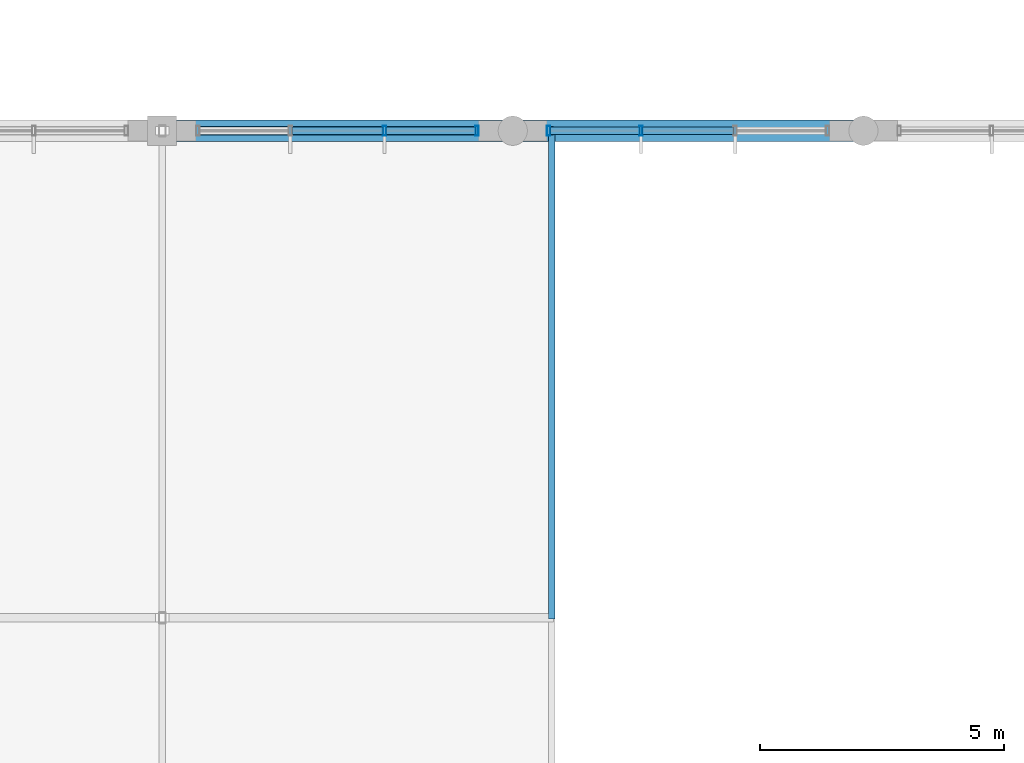
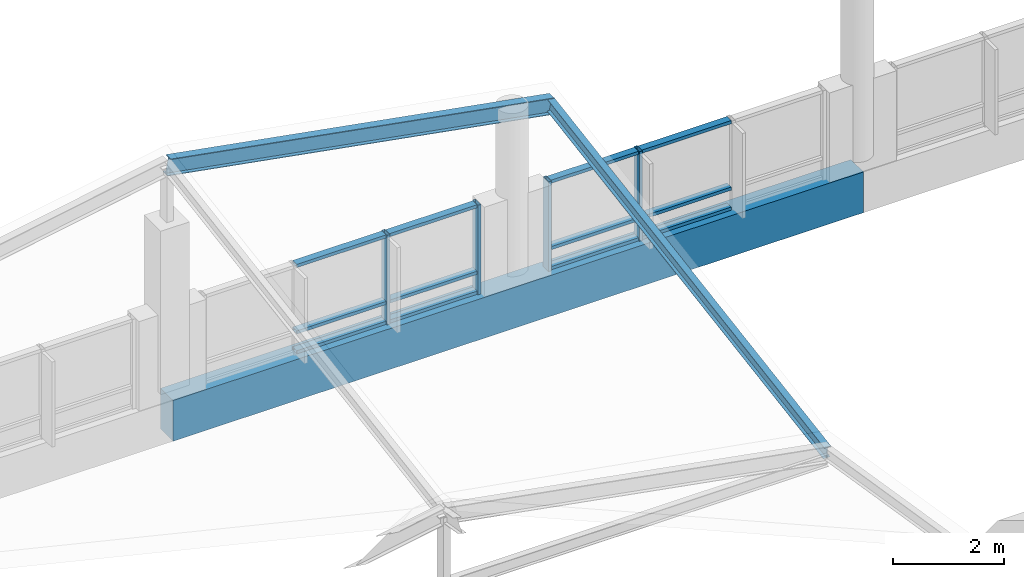
# One storey, part 51 of 189: 18 members, 1 beam, 2 elements without a shape of their own.
"""IFC4 building model written with IfcOpenShell, lengths in metres."""

from ifc_helpers import new_model, si_unit, direction, frame, origin, origin_2d, place, context, subcontext, project, spatial, rectangle, hollow_rectangle, i_section, extrude, material, material_profile, profile_set, type_object, element, aggregate, save


model = new_model("IFC4")

# Units and contexts
model_context = context("Model", 3, precision=1e-05, world=origin(), true_north=direction((0.0, 1.0)))
body_context = subcontext(model_context, "Body", "Model", "MODEL_VIEW")
ifc_project = project(units=[si_unit("LENGTHUNIT", "METRE"), si_unit("AREAUNIT", "SQUARE_METRE"), si_unit("VOLUMEUNIT", "CUBIC_METRE"), si_unit("PLANEANGLEUNIT", "RADIAN"), si_unit("MASSUNIT", "GRAM", prefix="KILO")], contexts=[model_context])

# Site, building, storey
site_placement = place(None, origin())
site = spatial("IfcSite", under=ifc_project, at=site_placement, CompositionType="ELEMENT")
building_placement = place(site_placement, origin())
building = spatial("IfcBuilding", under=site, at=building_placement, Name="Zavelmont Quarter", CompositionType="ELEMENT")
storey_placement = place(building_placement, frame((0.0, 0.0, 4.39990234375)))
storey = spatial("IfcBuildingStorey", under=building, at=storey_placement, Name="L01", CompositionType="ELEMENT", Elevation=4.39990234375)

# Beam
ifc_material_1 = material(Name="Concrete C40/50", Category="concrete")
ifc_material_profile_1 = material_profile(ifc_material_1, rectangle(XDim=0.449951171875, YDim=0.89990234375, at=origin_2d()), Name="RC450X900")
ifc_profile_set_1 = profile_set([ifc_material_profile_1], Name="Concrete C40/50")
beam_type = type_object("IfcBeamType", Name="BM06", PredefinedType="BEAM", material=ifc_profile_set_1)
beam_placement = place(storey_placement, frame((84.0, 30.0, -0.72998046875), z_axis=(1.0, 0.0, 0.0), x_axis=(0.0, 1.0, 0.0)))
element("IfcBeam", 1, at=beam_placement, inside=storey, type_object=beam_type, Name="L01 beam BM06 13/F to 15/F", PredefinedType="BEAM", context=body_context, shape_type="SweptSolid", body=[
    extrude(rectangle(XDim=0.449951171875, YDim=0.89990234375, at=origin_2d()), origin(), (0.0, 0.0, 1.0), 14.39990234375),
])

# Curtain wall, members
ifc_material_2 = material(Name="Thermally broken aluminium and double low-E safety glazing", Category="aluminium")
curtain_wall_type = type_object("IfcCurtainWallType", Name="CW-580X198", PredefinedType="NOTDEFINED", material=ifc_material_2)
curtain_wall_1_placement = place(storey_placement, origin())
curtain_wall_1 = element("IfcCurtainWall", 2, at=curtain_wall_1_placement, inside=storey, type_object=curtain_wall_type, Name="L01 unitised curtain wall CW-580X198", PredefinedType="NOTDEFINED")
ifc_material_3 = material(Name="Powder-coated aluminium EN AW-6063-T6", Category="aluminium")
ifc_material_profile_2 = material_profile(ifc_material_3, hollow_rectangle(XDim=0.070068359375, YDim=0.199951171875, WallThickness=0.0048828125, at=origin_2d()), Name="CWM70X200")
ifc_profile_set_2 = profile_set([ifc_material_profile_2], Name="Powder-coated aluminium EN AW-6063-T6")
member_type_1 = type_object("IfcMemberType", Name="CWM02", PredefinedType="MULLION", material=ifc_profile_set_2)
member_1_placement = place(storey_placement, frame((88.566650390625, 30.0, -0.27978515625), z_axis=(0.0, 0.0, 1.0), x_axis=(1.0, 0.0, 0.0)))
member_1 = element("IfcMember", 3, at=member_1_placement, type_object=member_type_1, Name="CW-580X198 mullion 3", PredefinedType="MULLION", context=body_context, shape_type="SweptSolid", body=[
    extrude(hollow_rectangle(XDim=0.070068359375, YDim=0.199951171875, WallThickness=0.0048828125, at=origin_2d()), origin(), (0.0, 0.0, 1.0), 1.974853515625),
])
member_2_placement = place(storey_placement, frame((90.465087890625, 30.0, -0.27978515625), z_axis=(0.0, 0.0, 1.0), x_axis=(1.0, 0.0, 0.0)))
member_2 = element("IfcMember", 4, at=member_2_placement, type_object=member_type_1, Name="CW-580X198 mullion 4", PredefinedType="MULLION", context=body_context, shape_type="SweptSolid", body=[
    extrude(hollow_rectangle(XDim=0.070068359375, YDim=0.199951171875, WallThickness=0.0048828125, at=origin_2d()), origin(), (0.0, 0.0, 1.0), 1.974853515625),
])

curtain_wall_2_placement = place(storey_placement, origin())
curtain_wall_2 = element("IfcCurtainWall", 5, at=curtain_wall_2_placement, inside=storey, type_object=curtain_wall_type, Name="L01 unitised curtain wall CW-580X198", PredefinedType="NOTDEFINED")
member_3_placement = place(storey_placement, frame((91.93505859375, 30.0, -0.27978515625), z_axis=(0.0, 0.0, 1.0), x_axis=(1.0, 0.0, 0.0)))
member_3 = element("IfcMember", 6, at=member_3_placement, type_object=member_type_1, Name="CW-580X198 mullion 1", PredefinedType="MULLION", context=body_context, shape_type="SweptSolid", body=[
    extrude(hollow_rectangle(XDim=0.070068359375, YDim=0.199951171875, WallThickness=0.0048828125, at=origin_2d()), origin(), (0.0, 0.0, 1.0), 1.974853515625),
])
member_4_placement = place(storey_placement, frame((93.833251953125, 30.0, -0.27978515625), z_axis=(0.0, 0.0, 1.0), x_axis=(1.0, 0.0, 0.0)))
member_4 = element("IfcMember", 7, at=member_4_placement, type_object=member_type_1, Name="CW-580X198 mullion 2", PredefinedType="MULLION", context=body_context, shape_type="SweptSolid", body=[
    extrude(hollow_rectangle(XDim=0.070068359375, YDim=0.199951171875, WallThickness=0.0048828125, at=origin_2d()), origin(), (0.0, 0.0, 1.0), 1.974853515625),
])

# Member
ifc_material_profile_3 = material_profile(ifc_material_3, hollow_rectangle(XDim=0.14990234375, YDim=0.070068359375, WallThickness=0.00439453125, at=origin_2d()), Name="CWT70X150")
ifc_profile_set_3 = profile_set([ifc_material_profile_3], Name="Powder-coated aluminium EN AW-6063-T6")
member_type_2 = type_object("IfcMemberType", Name="CWT02", PredefinedType="NOTDEFINED", material=ifc_profile_set_3)
member_5_placement = place(storey_placement, frame((86.668212890625, 30.0, -0.244873046875), z_axis=(1.0, 0.0, 0.0), x_axis=(0.0, 1.0, 0.0)))
member_5 = element("IfcMember", 8, at=member_5_placement, type_object=member_type_2, Name="CW-580X198 transom 2.1", ObjectType="TRANSOM", PredefinedType="USERDEFINED", context=body_context, shape_type="SweptSolid", body=[
    extrude(hollow_rectangle(XDim=0.14990234375, YDim=0.070068359375, WallThickness=0.00439453125, at=origin_2d()), origin(), (0.0, 0.0, 1.0), 1.863525390625),
])

member_6_placement = place(storey_placement, frame((86.668212890625, 30.0, 0.194091796875), z_axis=(1.0, 0.0, 0.0), x_axis=(0.0, 1.0, 0.0)))
member_6 = element("IfcMember", 9, at=member_6_placement, type_object=member_type_2, Name="CW-580X198 transom 2.2", ObjectType="TRANSOM", PredefinedType="USERDEFINED", context=body_context, shape_type="SweptSolid", body=[
    extrude(hollow_rectangle(XDim=0.14990234375, YDim=0.070068359375, WallThickness=0.00439453125, at=origin_2d()), origin(), (0.0, 0.0, 1.0), 1.863525390625),
])

member_7_placement = place(storey_placement, frame((86.668212890625, 30.0, 1.66015625), z_axis=(1.0, 0.0, 0.0), x_axis=(0.0, 1.0, 0.0)))
member_7 = element("IfcMember", 10, at=member_7_placement, type_object=member_type_2, Name="CW-580X198 transom 2.3", ObjectType="TRANSOM", PredefinedType="USERDEFINED", context=body_context, shape_type="SweptSolid", body=[
    extrude(hollow_rectangle(XDim=0.14990234375, YDim=0.070068359375, WallThickness=0.00439453125, at=origin_2d()), origin(), (0.0, 0.0, 1.0), 1.863525390625),
])

member_8_placement = place(storey_placement, frame((88.6015625, 30.0, -0.244873046875), z_axis=(1.0, 0.0, 0.0), x_axis=(0.0, 1.0, 0.0)))
member_8 = element("IfcMember", 11, at=member_8_placement, type_object=member_type_2, Name="CW-580X198 transom 3.1", ObjectType="TRANSOM", PredefinedType="USERDEFINED", context=body_context, shape_type="SweptSolid", body=[
    extrude(hollow_rectangle(XDim=0.14990234375, YDim=0.070068359375, WallThickness=0.00439453125, at=origin_2d()), origin(), (0.0, 0.0, 1.0), 1.828369140625),
])

member_9_placement = place(storey_placement, frame((88.6015625, 30.0, 0.194091796875), z_axis=(1.0, 0.0, 0.0), x_axis=(0.0, 1.0, 0.0)))
member_9 = element("IfcMember", 12, at=member_9_placement, type_object=member_type_2, Name="CW-580X198 transom 3.2", ObjectType="TRANSOM", PredefinedType="USERDEFINED", context=body_context, shape_type="SweptSolid", body=[
    extrude(hollow_rectangle(XDim=0.14990234375, YDim=0.070068359375, WallThickness=0.00439453125, at=origin_2d()), origin(), (0.0, 0.0, 1.0), 1.828369140625),
])

member_10_placement = place(storey_placement, frame((88.6015625, 30.0, 1.66015625), z_axis=(1.0, 0.0, 0.0), x_axis=(0.0, 1.0, 0.0)))
member_10 = element("IfcMember", 13, at=member_10_placement, type_object=member_type_2, Name="CW-580X198 transom 3.3", ObjectType="TRANSOM", PredefinedType="USERDEFINED", context=body_context, shape_type="SweptSolid", body=[
    extrude(hollow_rectangle(XDim=0.14990234375, YDim=0.070068359375, WallThickness=0.00439453125, at=origin_2d()), origin(), (0.0, 0.0, 1.0), 1.828369140625),
])

aggregate(curtain_wall_1, [member_1, member_2, member_5, member_6, member_7, member_8, member_9, member_10])

member_11_placement = place(storey_placement, frame((91.969970703125, 30.0, -0.244873046875), z_axis=(1.0, 0.0, 0.0), x_axis=(0.0, 1.0, 0.0)))
member_11 = element("IfcMember", 14, at=member_11_placement, type_object=member_type_2, Name="CW-580X198 transom 1.1", ObjectType="TRANSOM", PredefinedType="USERDEFINED", context=body_context, shape_type="SweptSolid", body=[
    extrude(hollow_rectangle(XDim=0.14990234375, YDim=0.070068359375, WallThickness=0.00439453125, at=origin_2d()), origin(), (0.0, 0.0, 1.0), 1.828369140625),
])

member_12_placement = place(storey_placement, frame((91.969970703125, 30.0, 0.194091796875), z_axis=(1.0, 0.0, 0.0), x_axis=(0.0, 1.0, 0.0)))
member_12 = element("IfcMember", 15, at=member_12_placement, type_object=member_type_2, Name="CW-580X198 transom 1.2", ObjectType="TRANSOM", PredefinedType="USERDEFINED", context=body_context, shape_type="SweptSolid", body=[
    extrude(hollow_rectangle(XDim=0.14990234375, YDim=0.070068359375, WallThickness=0.00439453125, at=origin_2d()), origin(), (0.0, 0.0, 1.0), 1.828369140625),
])

member_13_placement = place(storey_placement, frame((91.969970703125, 30.0, 1.66015625), z_axis=(1.0, 0.0, 0.0), x_axis=(0.0, 1.0, 0.0)))
member_13 = element("IfcMember", 16, at=member_13_placement, type_object=member_type_2, Name="CW-580X198 transom 1.3", ObjectType="TRANSOM", PredefinedType="USERDEFINED", context=body_context, shape_type="SweptSolid", body=[
    extrude(hollow_rectangle(XDim=0.14990234375, YDim=0.070068359375, WallThickness=0.00439453125, at=origin_2d()), origin(), (0.0, 0.0, 1.0), 1.828369140625),
])

member_14_placement = place(storey_placement, frame((93.868408203125, 30.0, -0.244873046875), z_axis=(1.0, 0.0, 0.0), x_axis=(0.0, 1.0, 0.0)))
member_14 = element("IfcMember", 17, at=member_14_placement, type_object=member_type_2, Name="CW-580X198 transom 2.1", ObjectType="TRANSOM", PredefinedType="USERDEFINED", context=body_context, shape_type="SweptSolid", body=[
    extrude(hollow_rectangle(XDim=0.14990234375, YDim=0.070068359375, WallThickness=0.00439453125, at=origin_2d()), origin(), (0.0, 0.0, 1.0), 1.86328125),
])

member_15_placement = place(storey_placement, frame((93.868408203125, 30.0, 0.194091796875), z_axis=(1.0, 0.0, 0.0), x_axis=(0.0, 1.0, 0.0)))
member_15 = element("IfcMember", 18, at=member_15_placement, type_object=member_type_2, Name="CW-580X198 transom 2.2", ObjectType="TRANSOM", PredefinedType="USERDEFINED", context=body_context, shape_type="SweptSolid", body=[
    extrude(hollow_rectangle(XDim=0.14990234375, YDim=0.070068359375, WallThickness=0.00439453125, at=origin_2d()), origin(), (0.0, 0.0, 1.0), 1.86328125),
])

member_16_placement = place(storey_placement, frame((93.868408203125, 30.0, 1.66015625), z_axis=(1.0, 0.0, 0.0), x_axis=(0.0, 1.0, 0.0)))
member_16 = element("IfcMember", 19, at=member_16_placement, type_object=member_type_2, Name="CW-580X198 transom 2.3", ObjectType="TRANSOM", PredefinedType="USERDEFINED", context=body_context, shape_type="SweptSolid", body=[
    extrude(hollow_rectangle(XDim=0.14990234375, YDim=0.070068359375, WallThickness=0.00439453125, at=origin_2d()), origin(), (0.0, 0.0, 1.0), 1.86328125),
])

aggregate(curtain_wall_2, [member_3, member_4, member_11, member_12, member_13, member_14, member_15, member_16])

# Members
ifc_material_4 = material(Name="Steel S355", Category="steel")
ifc_material_profile_4 = material_profile(ifc_material_4, i_section(OverallWidth=0.135009765625, OverallDepth=0.27001953125, WebThickness=0.006591796875, FlangeThickness=0.01025390625, at=origin_2d()), Name="IPE 270")
ifc_profile_set_4 = profile_set([ifc_material_profile_4], Name="Steel S355")
member_type_3 = type_object("IfcMemberType", Name="PR01", PredefinedType="PURLIN", material=ifc_profile_set_4)
member_17_placement = place(storey_placement, frame((92.0, 20.0, 1.7001953125), z_axis=(0.0, 0.987132736639, 0.159902971377), x_axis=(-1.0, 0.0, 0.0)))
element("IfcMember", 20, at=member_17_placement, inside=storey, type_object=member_type_3, Name="L01 member PR01 14/D to 14/F", PredefinedType="PURLIN", context=body_context, shape_type="SweptSolid", body=[
    extrude(i_section(OverallWidth=0.135009765625, OverallDepth=0.27001953125, WebThickness=0.006591796875, FlangeThickness=0.01025390625, at=origin_2d()), origin(), (0.0, 0.0, 1.0), 10.13037109375),
])
ifc_material_profile_5 = material_profile(ifc_material_4, i_section(OverallWidth=0.169921875, OverallDepth=0.360107421875, WebThickness=0.008056640625, FlangeThickness=0.0126953125, at=origin_2d()), Name="IPE 360")
ifc_profile_set_5 = profile_set([ifc_material_profile_5], Name="Steel S355")
member_type_4 = type_object("IfcMemberType", Name="RFM2", PredefinedType="RAFTER", material=ifc_profile_set_5)
member_18_placement = place(storey_placement, frame((84.0, 30.0, 4.77001953125), z_axis=(0.983969211964, 0.0, -0.178338413997), x_axis=(0.0, 1.0, 0.0)))
element("IfcMember", 21, at=member_18_placement, inside=storey, type_object=member_type_4, Name="L01 member RFM2 13/F to 14/F", PredefinedType="RAFTER", context=body_context, shape_type="SweptSolid", body=[
    extrude(i_section(OverallWidth=0.169921875, OverallDepth=0.360107421875, WebThickness=0.008056640625, FlangeThickness=0.0126953125, at=origin_2d()), origin(), (0.0, 0.0, 1.0), 8.13037109375),
])

save(model, "model.ifc")
